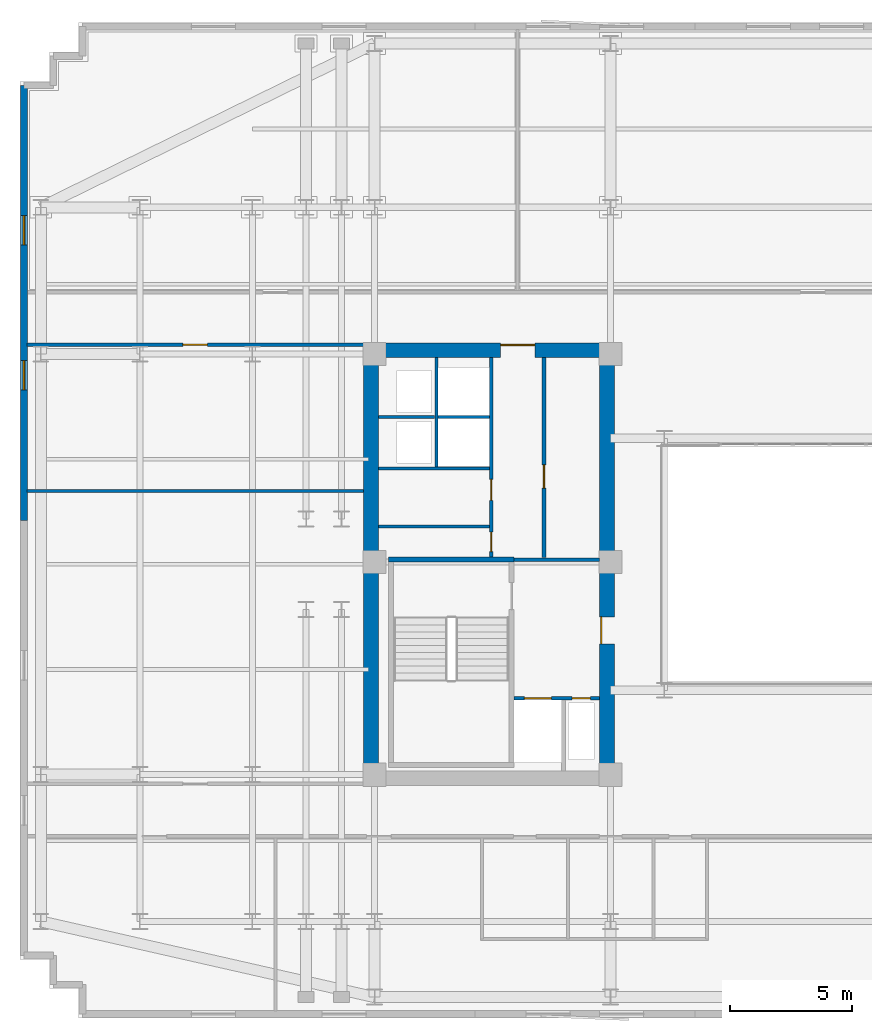
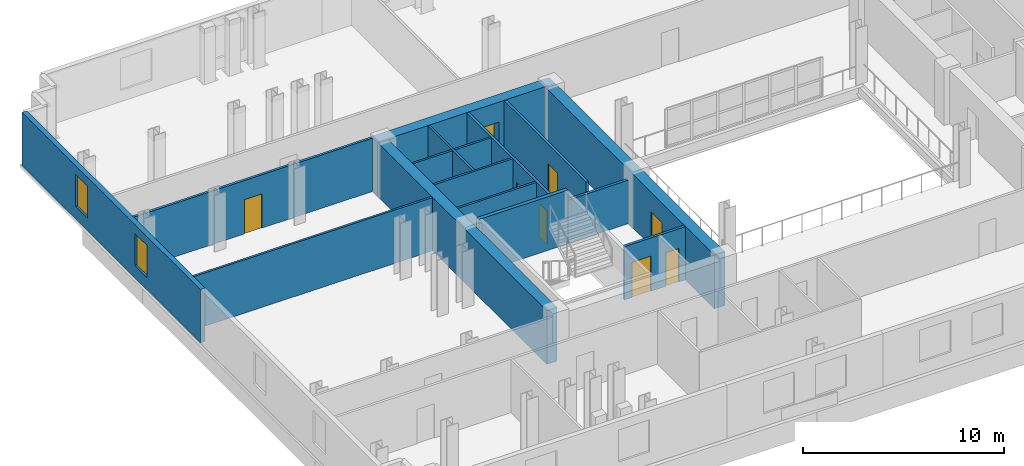
# One storey, part 7 of 12: 16 walls, 8 doors, 2 windows, 10 openings.
"""IFC4 building model written with IfcOpenShell, lengths in metres."""

from ifc_helpers import new_model, si_unit, direction, frame, frame_2d, origin, place, context, subcontext, project, spatial, rectangle, extrude, material, layer, layer_set, type_object, element, fill, save


model = new_model("IFC4")

# Units and contexts
model_context = context("Model", 3, precision=1e-05, world=origin(), true_north=direction((0.0, 1.0)))
body_context = subcontext(model_context, "Body", "Model", "MODEL_VIEW")
ifc_project = project(units=[si_unit("LENGTHUNIT", "METRE"), si_unit("AREAUNIT", "SQUARE_METRE"), si_unit("VOLUMEUNIT", "CUBIC_METRE"), si_unit("PLANEANGLEUNIT", "RADIAN"), si_unit("MASSUNIT", "GRAM", prefix="KILO")], contexts=[model_context])

# Site, building, storey
site_placement = place(None, origin())
site = spatial("IfcSite", under=ifc_project, at=site_placement, CompositionType="ELEMENT")
building_placement = place(site_placement, origin())
building = spatial("IfcBuilding", under=site, at=building_placement, Name="Velakula Bourse", CompositionType="ELEMENT")
storey_placement = place(building_placement, frame((0.0, 0.0, 120.85009765625)))
storey = spatial("IfcBuildingStorey", under=building, at=storey_placement, Name="L32", CompositionType="ELEMENT", Elevation=120.85009765625)

# Wall
ifc_material_1 = material(Name="Concrete M50 (fck 50 MPa)", Category="concrete")
ifc_layer_1 = layer(ifc_material_1, 0.2099609375, Name="Concrete M50 (fck 50 MPa)", Category="concrete")
ifc_layer_set_1 = layer_set([ifc_layer_1], Name="Concrete M50 (fck 50 MPa)")
wall_type_1 = type_object("IfcWallType", Name="WL-CORE-210", PredefinedType="SHEAR", material=ifc_layer_set_1)
wall_1_placement = place(storey_placement, frame((-12.889892578125, 0.205078125, 0.0), z_axis=(0.0, 0.0, 1.0), x_axis=(-1.0, 0.0, 0.0)))
element("IfcWall", 1, at=wall_1_placement, inside=storey, type_object=wall_type_1, Name="L32 Core W Stairwell Shear Wall N", PredefinedType="SHEAR", context=body_context, shape_type="SweptSolid", body=[
    extrude(rectangle(XDim=5.14013671875, YDim=0.2099609375, at=frame_2d((2.570068359375, 0.0))), origin(), (0.0, 0.0, 1.0), 3.27001953125),
])

# Wall, opening, door
ifc_material_2 = material(Name="Concrete M70 (fck 70 MPa)", Category="concrete")
ifc_layer_2 = layer(ifc_material_2, 0.60009765625, Name="Concrete M70 (fck 70 MPa)", Category="concrete")
ifc_layer_set_2 = layer_set([ifc_layer_2], Name="Concrete M70 (fck 70 MPa)")
wall_type_2 = type_object("IfcWallType", Name="WL-CORE-600", PredefinedType="SHEAR", material=ifc_layer_set_2)
wall_2_placement = place(storey_placement, frame((-19.050048828125, 8.75, 0.0), z_axis=(0.0, 0.0, 1.0), x_axis=(1.0, 0.0, 0.0)))
wall_2 = element("IfcWall", 2, at=wall_2_placement, inside=storey, type_object=wall_type_2, Name="L32 Core W Shear Wall N", PredefinedType="SHEAR", context=body_context, shape_type="SweptSolid", body=[
    extrude(rectangle(XDim=10.25, YDim=0.60009765625, at=frame_2d((5.125, 0.0))), origin(), (0.0, 0.0, 1.0), 3.27001953125),
])
opening_1_placement = place(wall_2_placement, frame((5.60009765625, 0.0, 0.0)))
opening_1 = element("IfcOpeningElement", 3, at=opening_1_placement, cuts=wall_2, Name="Opening D-LLW", PredefinedType="OPENING", context=body_context, shape_type="SweptSolid", body=[
    extrude(rectangle(XDim=1.39990234375, YDim=2.050048828125, at=frame_2d((0.699951171875, 1.02490234375))), frame((0.0, 0.31005859375, 0.0), z_axis=(0.0, -1.0, 0.0), x_axis=(1.0, 0.0, 0.0)), (0.0, 0.0, 1.0), 0.6201171875),
])
ifc_material_3 = material(Name="Fire-rated hardwood flush architectural door", Category="wood")
door_type_1 = type_object("IfcDoorType", Name="DR-DBL-FD60-1400", OperationType="DOUBLE_DOOR_SINGLE_SWING", PredefinedType="DOOR", material=ifc_material_3)
door_1_placement = place(opening_1_placement, origin())
door_1 = element("IfcDoor", 4, at=door_1_placement, inside=storey, type_object=door_type_1, Name="L32 Core W Lift Lobby Corridor Double Door", OperationType="DOUBLE_DOOR_SINGLE_SWING", OverallHeight=2.050048828125, OverallWidth=1.39990234375, PredefinedType="DOOR", context=body_context, shape_type="SweptSolid", body=[
    extrude(rectangle(XDim=1.39990234375, YDim=2.050048828125, at=frame_2d((0.699951171875, 1.02490234375))), frame((0.0, 0.2451171875, 0.0), z_axis=(0.0, -1.0, 0.0), x_axis=(1.0, 0.0, 0.0)), (0.0, 0.0, 1.0), 0.050048828125),
])
fill(opening_1, door_1)

# Wall
wall_3_placement = place(storey_placement, frame((-18.75, -8.449951171875, 0.0), z_axis=(0.0, 0.0, 1.0), x_axis=(0.0, 1.0, 0.0)))
element("IfcWall", 5, at=wall_3_placement, inside=storey, type_object=wall_type_2, Name="L32 Core W Shear Wall W", PredefinedType="SHEAR", context=body_context, shape_type="SweptSolid", body=[
    extrude(rectangle(XDim=16.89990234375, YDim=0.60009765625, at=frame_2d((8.449951171875, 0.0))), origin(), (0.0, 0.0, 1.0), 3.27001953125),
])

# Wall, opening, door
wall_4_placement = place(storey_placement, frame((-9.10009765625, -8.449951171875, 0.0), z_axis=(0.0, 0.0, 1.0), x_axis=(0.0, 1.0, 0.0)))
wall_4 = element("IfcWall", 6, at=wall_4_placement, inside=storey, type_object=wall_type_2, Name="L32 Core W Shear Wall E", PredefinedType="SHEAR", context=body_context, shape_type="SweptSolid", body=[
    extrude(rectangle(XDim=16.89990234375, YDim=0.60009765625, at=frame_2d((8.449951171875, 0.0))), origin(), (0.0, 0.0, 1.0), 3.27001953125),
])
opening_2_placement = place(wall_4_placement, frame((5.199951171875, 0.0, 0.0)))
opening_2 = element("IfcOpeningElement", 7, at=opening_2_placement, cuts=wall_4, Name="Opening D-FLW", PredefinedType="OPENING", context=body_context, shape_type="SweptSolid", body=[
    extrude(rectangle(XDim=1.10009765625, YDim=2.080078125, at=frame_2d((0.550048828125, 1.0400390625))), frame((0.0, 0.31005859375, 0.0), z_axis=(0.0, -1.0, 0.0), x_axis=(1.0, 0.0, 0.0)), (0.0, 0.0, 1.0), 0.6201171875),
])
ifc_material_4 = material(Name="Galvanised painted hollow steel fire door", Category="steel")
door_type_2 = type_object("IfcDoorType", Name="DR-FD120-1100", OperationType="NOTDEFINED", PredefinedType="DOOR", material=ifc_material_4)
door_2_placement = place(opening_2_placement, origin())
door_2 = element("IfcDoor", 8, at=door_2_placement, inside=storey, type_object=door_type_2, Name="L32 Firefighting Lobby W Corridor Fire Door", OperationType="SINGLE_SWING_LEFT", OverallHeight=2.080078125, OverallWidth=1.10009765625, PredefinedType="DOOR", context=body_context, shape_type="SweptSolid", body=[
    extrude(rectangle(XDim=1.10009765625, YDim=2.080078125, at=frame_2d((0.550048828125, 1.0400390625))), frame((0.0, 0.2548828125, 0.0), z_axis=(0.0, -1.0, 0.0), x_axis=(1.0, 0.0, 0.0)), (0.0, 0.0, 1.0), 0.050048828125),
])
fill(opening_2, door_2)

# Wall, openings, windows
ifc_material_5 = material(Name="Red kilned clay facing brick masonry", Category="masonry")
ifc_layer_3 = layer(ifc_material_5, 0.280029296875, Name="Red kilned clay facing brick masonry", Category="masonry")
ifc_layer_set_3 = layer_set([ifc_layer_3], Name="Red kilned clay facing brick masonry")
wall_type_3 = type_object("IfcWallType", Name="WL-EXT-BRK-280", PredefinedType="STANDARD", material=ifc_layer_set_3)
wall_5_placement = place(storey_placement, frame((-32.93994140625, 1.800048828125, 0.0), z_axis=(0.0, 0.0, 1.0), x_axis=(0.0, 1.0, 0.0)))
wall_5 = element("IfcWall", 9, at=wall_5_placement, inside=storey, type_object=wall_type_3, Name="L32 W Brick End Wall W2", PredefinedType="STANDARD", context=body_context, shape_type="SweptSolid", body=[
    extrude(rectangle(XDim=17.7900390625, YDim=0.280029296875, at=frame_2d((8.89501953125, 0.0))), origin(), (0.0, 0.0, 1.0), 3.25),
])
opening_3_placement = place(wall_5_placement, frame((5.330078125, 0.0, 0.760009765625)))
opening_3 = element("IfcOpeningElement", 10, at=opening_3_placement, cuts=wall_5, Name="Opening W-04", PredefinedType="OPENING", context=body_context, shape_type="SweptSolid", body=[
    extrude(rectangle(XDim=1.199951171875, YDim=1.949951171875, at=frame_2d((0.60009765625, 0.97509765625))), frame((0.0, 0.14990234375, 0.0), z_axis=(0.0, -1.0, 0.0), x_axis=(1.0, 0.0, 0.0)), (0.0, 0.0, 1.0), 0.300048828125),
])
opening_4_placement = place(wall_5_placement, frame((11.260009765625, 0.0, 0.760009765625)))
opening_4 = element("IfcOpeningElement", 11, at=opening_4_placement, cuts=wall_5, Name="Opening W-04", PredefinedType="OPENING", context=body_context, shape_type="SweptSolid", body=[
    extrude(rectangle(XDim=1.199951171875, YDim=1.949951171875, at=frame_2d((0.60009765625, 0.97509765625))), frame((0.0, 0.14990234375, 0.0), z_axis=(0.0, -1.0, 0.0), x_axis=(1.0, 0.0, 0.0)), (0.0, 0.0, 1.0), 0.300048828125),
])
ifc_material_6 = material(Name="Double-glazed solar-control Low-E glass", Category="glass")
window_type = type_object("IfcWindowType", Name="WIN-TWR-1200x2100", PartitioningType="SINGLE_PANEL", PredefinedType="WINDOW", material=ifc_material_6)
window_1_placement = place(opening_3_placement, origin())
window_1 = element("IfcWindow", 12, at=window_1_placement, inside=storey, type_object=window_type, Name="L32 Deep-Set Recessed Window 1", OverallHeight=1.949951171875, OverallWidth=1.199951171875, PartitioningType="SINGLE_PANEL", PredefinedType="WINDOW", context=body_context, shape_type="SweptSolid", body=[
    extrude(rectangle(XDim=1.199951171875, YDim=1.949951171875, at=frame_2d((0.60009765625, 0.97509765625))), frame((0.0, 0.030029296875, 0.0), z_axis=(0.0, -1.0, 0.0), x_axis=(1.0, 0.0, 0.0)), (0.0, 0.0, 1.0), 0.06005859375),
])
fill(opening_3, window_1)
window_2_placement = place(opening_4_placement, origin())
window_2 = element("IfcWindow", 13, at=window_2_placement, inside=storey, type_object=window_type, Name="L32 Deep-Set Recessed Window 2", OverallHeight=1.949951171875, OverallWidth=1.199951171875, PartitioningType="SINGLE_PANEL", PredefinedType="WINDOW", context=body_context, shape_type="SweptSolid", body=[
    extrude(rectangle(XDim=1.199951171875, YDim=1.949951171875, at=frame_2d((0.60009765625, 0.97509765625))), frame((0.0, 0.030029296875, 0.0), z_axis=(0.0, -1.0, 0.0), x_axis=(1.0, 0.0, 0.0)), (0.0, 0.0, 1.0), 0.06005859375),
])
fill(opening_4, window_2)

# Walls
ifc_material_7 = material(Name="Fire-rated double-layer gypsum drywall partition", Category="gypsum")
ifc_layer_4 = layer(ifc_material_7, 0.1201171875, Name="Fire-rated double-layer gypsum drywall partition", Category="gypsum")
ifc_layer_set_4 = layer_set([ifc_layer_4], Name="Fire-rated double-layer gypsum drywall partition")
wall_type_4 = type_object("IfcWallType", Name="WL-PART-120", PredefinedType="STANDARD", material=ifc_layer_set_4)
wall_6_placement = place(storey_placement, frame((-18.449951171875, 3.919921875, 0.0), z_axis=(0.0, 0.0, 1.0), x_axis=(1.0, 0.0, 0.0)))
element("IfcWall", 14, at=wall_6_placement, inside=storey, type_object=wall_type_4, Name="L32 Interior Partition WL-CRW-L32-HI-S", PredefinedType="STANDARD", context=body_context, shape_type="SweptSolid", body=[
    extrude(rectangle(XDim=4.550048828125, YDim=0.1201171875, at=frame_2d((2.27490234375, 0.0))), origin(), (0.0, 0.0, 1.0), 3.25),
])
wall_7_placement = place(storey_placement, frame((-18.449951171875, 6.030029296875, 0.0), z_axis=(0.0, 0.0, 1.0), x_axis=(1.0, 0.0, 0.0)))
element("IfcWall", 15, at=wall_7_placement, inside=storey, type_object=wall_type_4, Name="L32 Interior Partition WL-CRW-L32-RIS-MID", PredefinedType="STANDARD", context=body_context, shape_type="SweptSolid", body=[
    extrude(rectangle(XDim=2.300048828125, YDim=0.1201171875, at=frame_2d((1.14990234375, 0.0))), origin(), (0.0, 0.0, 1.0), 3.25),
])
wall_8_placement = place(storey_placement, frame((-16.074951171875, 3.97998046875, 0.0), z_axis=(0.0, 0.0, 1.0), x_axis=(0.0, 1.0, 0.0)))
element("IfcWall", 16, at=wall_8_placement, inside=storey, type_object=wall_type_4, Name="L32 Interior Partition WL-CRW-L32-RIS-F", PredefinedType="STANDARD", context=body_context, shape_type="SweptSolid", body=[
    extrude(rectangle(XDim=4.469970703125, YDim=0.1201171875, at=frame_2d((2.23486328125, 0.0))), origin(), (0.0, 0.0, 1.0), 3.25),
])
wall_9_placement = place(storey_placement, frame((-16.0, 6.030029296875, 0.0), z_axis=(0.0, 0.0, 1.0), x_axis=(1.0, 0.0, 0.0)))
element("IfcWall", 17, at=wall_9_placement, inside=storey, type_object=wall_type_4, Name="L32 Interior Partition WL-CRW-L32-HI-DIV", PredefinedType="STANDARD", context=body_context, shape_type="SweptSolid", body=[
    extrude(rectangle(XDim=2.10009765625, YDim=0.1201171875, at=frame_2d((1.050048828125, 0.0))), origin(), (0.0, 0.0, 1.0), 3.25),
])
wall_10_placement = place(storey_placement, frame((-18.449951171875, 1.550048828125, 0.0), z_axis=(0.0, 0.0, 1.0), x_axis=(1.0, 0.0, 0.0)))
element("IfcWall", 18, at=wall_10_placement, inside=storey, type_object=wall_type_4, Name="L32 Interior Partition WL-CRW-L32-K1", PredefinedType="STANDARD", context=body_context, shape_type="SweptSolid", body=[
    extrude(rectangle(XDim=4.550048828125, YDim=0.1201171875, at=frame_2d((2.27490234375, 0.0))), origin(), (0.0, 0.0, 1.0), 3.25),
])
wall_11_placement = place(storey_placement, frame((-32.820068359375, 3.0, 0.0), z_axis=(0.0, 0.0, 1.0), x_axis=(1.0, 0.0, 0.0)))
element("IfcWall", 19, at=wall_11_placement, inside=storey, type_object=wall_type_4, Name="L32 Interior Partition WL-INT-L32-W-H", PredefinedType="STANDARD", context=body_context, shape_type="SweptSolid", body=[
    extrude(rectangle(XDim=13.77001953125, YDim=0.1201171875, at=frame_2d((6.885009765625, 0.0))), origin(), (0.0, 0.0, 1.0), 3.25),
])

# Wall, opening, door
ifc_layer_5 = layer(ifc_material_7, 0.139892578125, Name="Fire-rated double-layer gypsum drywall partition", Category="gypsum")
ifc_layer_set_5 = layer_set([ifc_layer_5], Name="Fire-rated double-layer gypsum drywall partition")
wall_type_5 = type_object("IfcWallType", Name="WL-PART-140", PredefinedType="STANDARD", material=ifc_layer_set_5)
wall_12_placement = place(storey_placement, frame((-32.820068359375, 8.97998046875, 0.0), z_axis=(0.0, 0.0, 1.0), x_axis=(1.0, 0.0, 0.0)))
wall_12 = element("IfcWall", 20, at=wall_12_placement, inside=storey, type_object=wall_type_5, Name="L32 Interior Partition WL-INT-L32-W-NC", PredefinedType="STANDARD", context=body_context, shape_type="SweptSolid", body=[
    extrude(rectangle(XDim=13.77001953125, YDim=0.139892578125, at=frame_2d((6.885009765625, 0.0))), origin(), (0.0, 0.0, 1.0), 3.25),
])
opening_5_placement = place(wall_12_placement, frame((6.385009765625, 0.0, 0.0)))
opening_5 = element("IfcOpeningElement", 21, at=opening_5_placement, cuts=wall_12, Name="Opening D-OF1", PredefinedType="OPENING", context=body_context, shape_type="SweptSolid", body=[
    extrude(rectangle(XDim=1.0, YDim=2.080078125, at=frame_2d((0.5, 1.0400390625))), frame((0.0, 0.079833984375, 0.0), z_axis=(0.0, -1.0, 0.0), x_axis=(1.0, 0.0, 0.0)), (0.0, 0.0, 1.0), 0.159912109375),
])
door_type_3 = type_object("IfcDoorType", Name="DR-OFF-1000", OperationType="NOTDEFINED", PredefinedType="DOOR", material=ifc_material_3)
door_3_placement = place(opening_5_placement, origin())
door_3 = element("IfcDoor", 22, at=door_3_placement, inside=storey, type_object=door_type_3, Name="L32 Legal Counsel Office Door", OperationType="SINGLE_SWING_LEFT", OverallHeight=2.080078125, OverallWidth=1.0, PredefinedType="DOOR", context=body_context, shape_type="SweptSolid", body=[
    extrude(rectangle(XDim=1.0, YDim=2.080078125, at=frame_2d((0.5, 1.0400390625))), frame((0.0, 0.02490234375, 0.0), z_axis=(0.0, -1.0, 0.0), x_axis=(1.0, 0.0, 0.0)), (0.0, 0.0, 1.0), 0.050048828125),
])
fill(opening_5, door_3)

# Wall, openings, doors
ifc_material_8 = material(Name="Autoclaved aerated concrete blockwork masonry", Category="masonry")
ifc_layer_6 = layer(ifc_material_8, 0.14990234375, Name="Autoclaved aerated concrete blockwork masonry", Category="masonry")
ifc_layer_set_6 = layer_set([ifc_layer_6], Name="Autoclaved aerated concrete blockwork masonry")
wall_type_6 = type_object("IfcWallType", Name="WL-SHAFT-150", PredefinedType="STANDARD", material=ifc_layer_set_6)
wall_13_placement = place(storey_placement, frame((-12.89501953125, -5.47509765625, 0.0), z_axis=(0.0, 0.0, 1.0), x_axis=(1.0, 0.0, 0.0)))
wall_13 = element("IfcWall", 23, at=wall_13_placement, inside=storey, type_object=wall_type_6, Name="L32 Interior Partition WL-CRW-L32-FFL-N", PredefinedType="STANDARD", context=body_context, shape_type="SweptSolid", body=[
    extrude(rectangle(XDim=3.4951171875, YDim=0.14990234375, at=frame_2d((1.74755859375, 0.0))), origin(), (0.0, 0.0, 1.0), 3.25),
])
opening_6_placement = place(wall_13_placement, frame((0.419921875, 0.0, 0.0)))
opening_6 = element("IfcOpeningElement", 24, at=opening_6_placement, cuts=wall_13, Name="Opening LD-FFL-1", PredefinedType="OPENING", context=body_context, shape_type="SweptSolid", body=[
    extrude(rectangle(XDim=1.10009765625, YDim=2.14990234375, at=frame_2d((0.550048828125, 1.074951171875))), frame((0.0, 0.0849609375, 0.0), z_axis=(0.0, -1.0, 0.0), x_axis=(1.0, 0.0, 0.0)), (0.0, 0.0, 1.0), 0.169921875),
])
opening_7_placement = place(wall_13_placement, frame((2.3701171875, 0.0, 0.0)))
opening_7 = element("IfcOpeningElement", 25, at=opening_7_placement, cuts=wall_13, Name="Opening D-RS1", PredefinedType="OPENING", context=body_context, shape_type="SweptSolid", body=[
    extrude(rectangle(XDim=0.75, YDim=2.050048828125, at=frame_2d((0.375, 1.02490234375))), frame((0.0, 0.0849609375, 0.0), z_axis=(0.0, -1.0, 0.0), x_axis=(1.0, 0.0, 0.0)), (0.0, 0.0, 1.0), 0.169921875),
])
door_type_4 = type_object("IfcDoorType", Name="DR-RISER-800", OperationType="NOTDEFINED", PredefinedType="DOOR", material=ifc_material_4)
door_4_placement = place(opening_7_placement, origin())
door_4 = element("IfcDoor", 26, at=door_4_placement, inside=storey, type_object=door_type_4, Name="L32 Fire Riser Access Door", OperationType="SINGLE_SWING_LEFT", OverallHeight=2.050048828125, OverallWidth=0.75, PredefinedType="DOOR", context=body_context, shape_type="SweptSolid", body=[
    extrude(rectangle(XDim=0.75, YDim=2.050048828125, at=frame_2d((0.375, 1.02490234375))), frame((0.0, 0.02490234375, 0.0), z_axis=(0.0, -1.0, 0.0), x_axis=(1.0, 0.0, 0.0)), (0.0, 0.0, 1.0), 0.050048828125),
])
fill(opening_7, door_4)
ifc_material_9 = material(Name="Brushed grade 316 stainless steel", Category="steel")
door_type_5 = type_object("IfcDoorType", Name="DR-SLIDE-FFL-1100", OperationType="DOUBLE_DOOR_SLIDING", PredefinedType="DOOR", material=ifc_material_9)
door_5_placement = place(opening_6_placement, origin())
door_5 = element("IfcDoor", 27, at=door_5_placement, inside=storey, type_object=door_type_5, Name="L32 Firefighting Lift FFL-1 Sliding Landing Door", OperationType="DOUBLE_DOOR_SLIDING", OverallHeight=2.14990234375, OverallWidth=1.10009765625, PredefinedType="DOOR", context=body_context, shape_type="SweptSolid", body=[
    extrude(rectangle(XDim=1.10009765625, YDim=2.14990234375, at=frame_2d((0.550048828125, 1.074951171875))), frame((0.0, 0.02490234375, 0.0), z_axis=(0.0, -1.0, 0.0), x_axis=(1.0, 0.0, 0.0)), (0.0, 0.0, 1.0), 0.050048828125),
])
fill(opening_6, door_5)

# Wall
wall_14_placement = place(storey_placement, frame((-12.889892578125, 0.18994140625, 0.0), z_axis=(0.0, 0.0, 1.0), x_axis=(1.0, 0.0, 0.0)))
element("IfcWall", 28, at=wall_14_placement, inside=storey, type_object=wall_type_6, Name="L32 Interior Partition WL-CRW-L32-FF-TOP", PredefinedType="STANDARD", context=body_context, shape_type="SweptSolid", body=[
    extrude(rectangle(XDim=3.489990234375, YDim=0.14990234375, at=frame_2d((1.7451171875, 0.0))), origin(), (0.0, 0.0, 1.0), 2.64501953125),
])

# Wall, opening, door
wall_15_placement = place(storey_placement, frame((-11.675048828125, 0.27001953125, 0.0), z_axis=(0.0, 0.0, 1.0), x_axis=(0.0, 1.0, 0.0)))
wall_15 = element("IfcWall", 29, at=wall_15_placement, inside=storey, type_object=wall_type_6, Name="L32 Interior Partition WL-CRW-L32-BANK-F", PredefinedType="STANDARD", context=body_context, shape_type="SweptSolid", body=[
    extrude(rectangle(XDim=8.179931640625, YDim=0.14990234375, at=frame_2d((4.08984375, 0.0))), origin(), (0.0, 0.0, 1.0), 3.25),
])
opening_8_placement = place(wall_15_placement, frame((2.85009765625, 0.0, 0.0)))
opening_8 = element("IfcOpeningElement", 30, at=opening_8_placement, cuts=wall_15, Name="Opening D-RC4", PredefinedType="OPENING", context=body_context, shape_type="SweptSolid", body=[
    extrude(rectangle(XDim=0.949951171875, YDim=2.050048828125, at=frame_2d((0.47509765625, 1.02490234375))), frame((0.0, 0.0849609375, 0.0), z_axis=(0.0, -1.0, 0.0), x_axis=(1.0, 0.0, 0.0)), (0.0, 0.0, 1.0), 0.169921875),
])
door_type_6 = type_object("IfcDoorType", Name="DR-FD60-950x2050", OperationType="NOTDEFINED", PredefinedType="DOOR", material=ifc_material_3)
door_6_placement = place(opening_8_placement, origin())
door_6 = element("IfcDoor", 31, at=door_6_placement, inside=storey, type_object=door_type_6, Name="L32 Reclaimed Multi-Bay Archive Room Door", OperationType="SINGLE_SWING_RIGHT", OverallHeight=2.050048828125, OverallWidth=0.949951171875, PredefinedType="DOOR", context=body_context, shape_type="SweptSolid", body=[
    extrude(rectangle(XDim=0.949951171875, YDim=2.050048828125, at=frame_2d((0.47509765625, 1.02490234375))), frame((0.0, 0.02490234375, 0.0), z_axis=(0.0, -1.0, 0.0), x_axis=(1.0, 0.0, 0.0)), (0.0, 0.0, 1.0), 0.050048828125),
])
fill(opening_8, door_6)

# Wall, openings, doors
wall_16_placement = place(storey_placement, frame((-13.824951171875, 0.27001953125, 0.0), z_axis=(0.0, 0.0, 1.0), x_axis=(0.0, 1.0, 0.0)))
wall_16 = element("IfcWall", 32, at=wall_16_placement, inside=storey, type_object=wall_type_6, Name="L32 Interior Partition WL-CRW-L32-OUT-F", PredefinedType="STANDARD", context=body_context, shape_type="SweptSolid", body=[
    extrude(rectangle(XDim=8.179931640625, YDim=0.14990234375, at=frame_2d((4.08984375, 0.0))), origin(), (0.0, 0.0, 1.0), 3.25),
])
opening_9_placement = place(wall_16_placement, frame((0.25, 0.0, 0.0)))
opening_9 = element("IfcOpeningElement", 33, at=opening_9_placement, cuts=wall_16, Name="Opening D-CS1", PredefinedType="OPENING", context=body_context, shape_type="SweptSolid", body=[
    extrude(rectangle(XDim=0.800048828125, YDim=2.050048828125, at=frame_2d((0.39990234375, 1.02490234375))), frame((0.0, 0.0849609375, 0.0), z_axis=(0.0, -1.0, 0.0), x_axis=(1.0, 0.0, 0.0)), (0.0, 0.0, 1.0), 0.169921875),
])
opening_10_placement = place(wall_16_placement, frame((2.35009765625, 0.0, 0.0)))
opening_10 = element("IfcOpeningElement", 34, at=opening_10_placement, cuts=wall_16, Name="Opening D-CW1", PredefinedType="OPENING", context=body_context, shape_type="SweptSolid", body=[
    extrude(rectangle(XDim=0.85009765625, YDim=2.050048828125, at=frame_2d((0.425048828125, 1.02490234375))), frame((0.0, 0.0849609375, 0.0), z_axis=(0.0, -1.0, 0.0), x_axis=(1.0, 0.0, 0.0)), (0.0, 0.0, 1.0), 0.169921875),
])
door_type_7 = type_object("IfcDoorType", Name="DR-INT-850", OperationType="NOTDEFINED", PredefinedType="DOOR", material=ifc_material_3)
door_7_placement = place(opening_10_placement, origin())
door_7 = element("IfcDoor", 35, at=door_7_placement, inside=storey, type_object=door_type_7, Name="L32 Core Janitor Closet Door", OperationType="SINGLE_SWING_RIGHT", OverallHeight=2.050048828125, OverallWidth=0.85009765625, PredefinedType="DOOR", context=body_context, shape_type="SweptSolid", body=[
    extrude(rectangle(XDim=0.85009765625, YDim=2.050048828125, at=frame_2d((0.425048828125, 1.02490234375))), frame((0.0, 0.02490234375, 0.0), z_axis=(0.0, -1.0, 0.0), x_axis=(1.0, 0.0, 0.0)), (0.0, 0.0, 1.0), 0.050048828125),
])
fill(opening_10, door_7)
door_type_8 = type_object("IfcDoorType", Name="DR-RISER-800x2050", OperationType="NOTDEFINED", PredefinedType="DOOR", material=ifc_material_4)
door_8_placement = place(opening_9_placement, origin())
door_8 = element("IfcDoor", 36, at=door_8_placement, inside=storey, type_object=door_type_8, Name="L32 Core Cleaner Store Door", OperationType="SINGLE_SWING_LEFT", OverallHeight=2.050048828125, OverallWidth=0.800048828125, PredefinedType="DOOR", context=body_context, shape_type="SweptSolid", body=[
    extrude(rectangle(XDim=0.800048828125, YDim=2.050048828125, at=frame_2d((0.39990234375, 1.02490234375))), frame((0.0, 0.02490234375, 0.0), z_axis=(0.0, -1.0, 0.0), x_axis=(1.0, 0.0, 0.0)), (0.0, 0.0, 1.0), 0.050048828125),
])
fill(opening_9, door_8)

save(model, "model.ifc")
